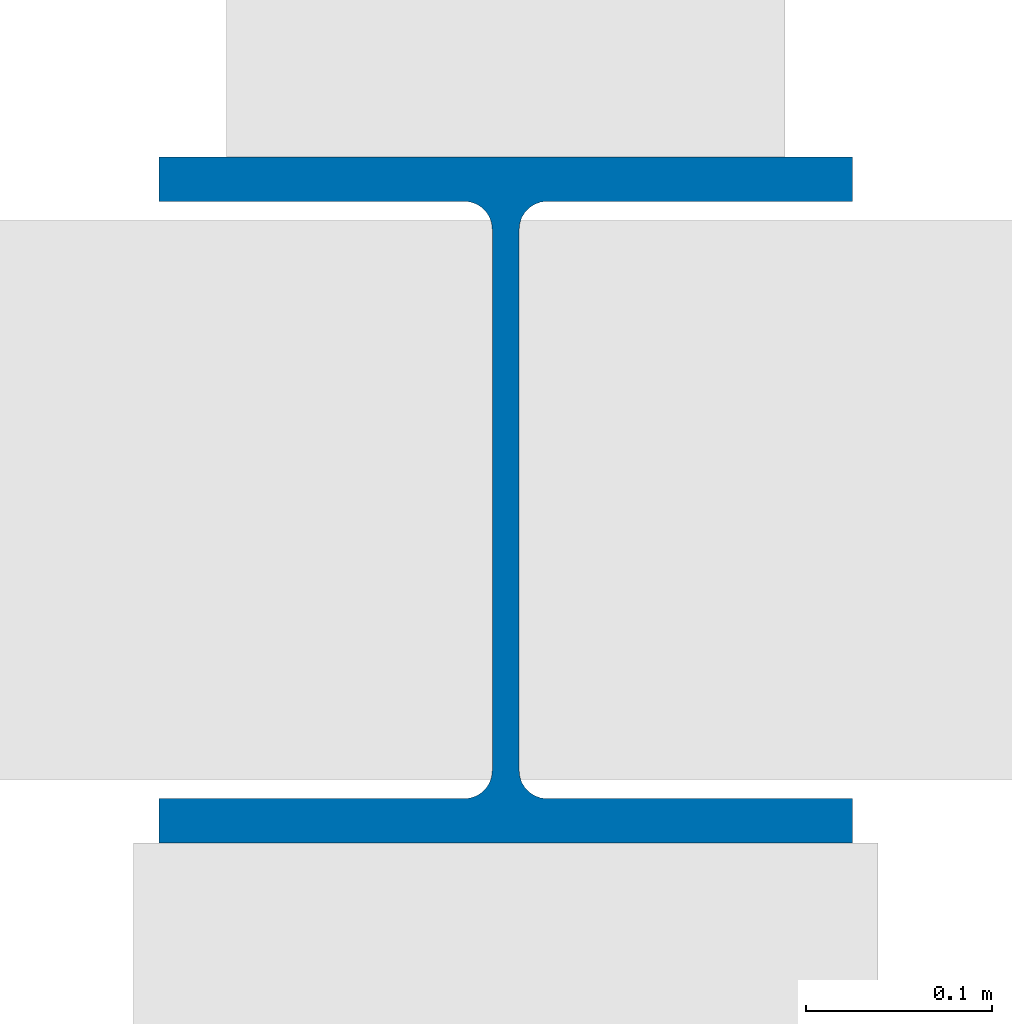
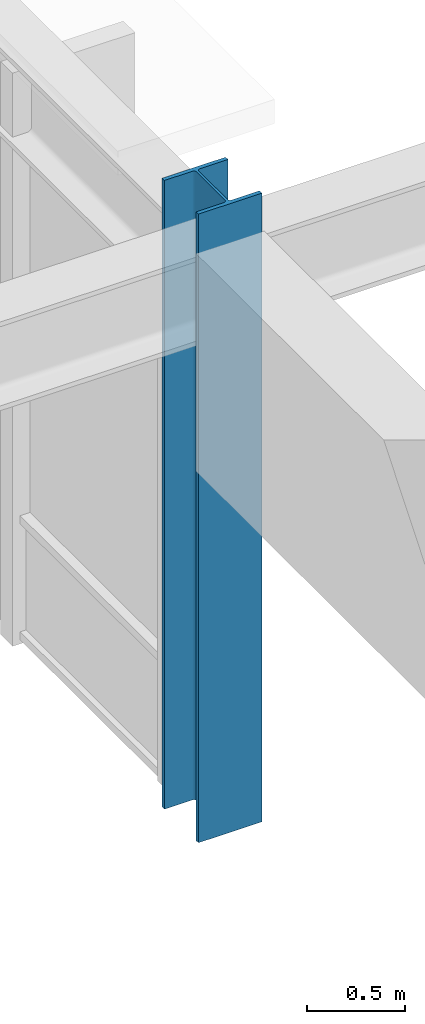
# One storey, part 3 of 98: 1 column.
"""IFC4 building model written with IfcOpenShell, lengths in metres."""

from ifc_helpers import new_model, si_unit, direction, frame, origin, origin_2d, place, context, subcontext, project, spatial, i_section, extrude, material, material_profile, profile_set, type_object, element, save


model = new_model("IFC4")

# Units and contexts
model_context = context("Model", 3, precision=1e-05, world=origin(), true_north=direction((0.0, 1.0)))
body_context = subcontext(model_context, "Body", "Model", "MODEL_VIEW")
ifc_project = project(units=[si_unit("LENGTHUNIT", "METRE"), si_unit("AREAUNIT", "SQUARE_METRE"), si_unit("VOLUMEUNIT", "CUBIC_METRE"), si_unit("PLANEANGLEUNIT", "RADIAN"), si_unit("MASSUNIT", "GRAM", prefix="KILO")], contexts=[model_context])

# Site, building, storey
site_placement = place(None, origin())
site = spatial("IfcSite", under=ifc_project, at=site_placement, CompositionType="ELEMENT")
building_placement = place(site_placement, origin())
building = spatial("IfcBuilding", under=site, at=building_placement, Name="Larkveld Mobility Hub", CompositionType="ELEMENT")
storey_placement = place(building_placement, frame((0.0, 0.0, 4.5)))
storey = spatial("IfcBuildingStorey", under=building, at=storey_placement, Name="L01", CompositionType="ELEMENT", Elevation=4.5)

# Column
ifc_material = material(Name="Steel S355JR", Category="steel")
ifc_material_profile = material_profile(ifc_material, i_section(OverallWidth=0.37255859375, OverallDepth=0.3681640625, WebThickness=0.014404296875, FlangeThickness=0.023681640625, FilletRadius=0.01513671875, at=origin_2d()), Name="UC 356x368x177")
ifc_profile_set = profile_set([ifc_material_profile], Name="Steel S355JR")
column_type = type_object("IfcColumnType", Name="CL-STUC356", PredefinedType="COLUMN", material=ifc_profile_set)
column_placement = place(storey_placement, frame((184.0, 28.0, 0.0), z_axis=(0.0, 0.0, 1.0), x_axis=(1.0, 0.0, 0.0)))
element("IfcColumn", 1, at=column_placement, inside=storey, type_object=column_type, Name="Column V1-X184-Y28 (L01)", PredefinedType="COLUMN", context=body_context, shape_type="SweptSolid", body=[
    extrude(i_section(OverallWidth=0.37255859375, OverallDepth=0.3681640625, WebThickness=0.014404296875, FlangeThickness=0.023681640625, FilletRadius=0.01513671875, at=origin_2d()), origin(), (0.0, 0.0, 1.0), 3.89990234375),
])

save(model, "model.ifc")
